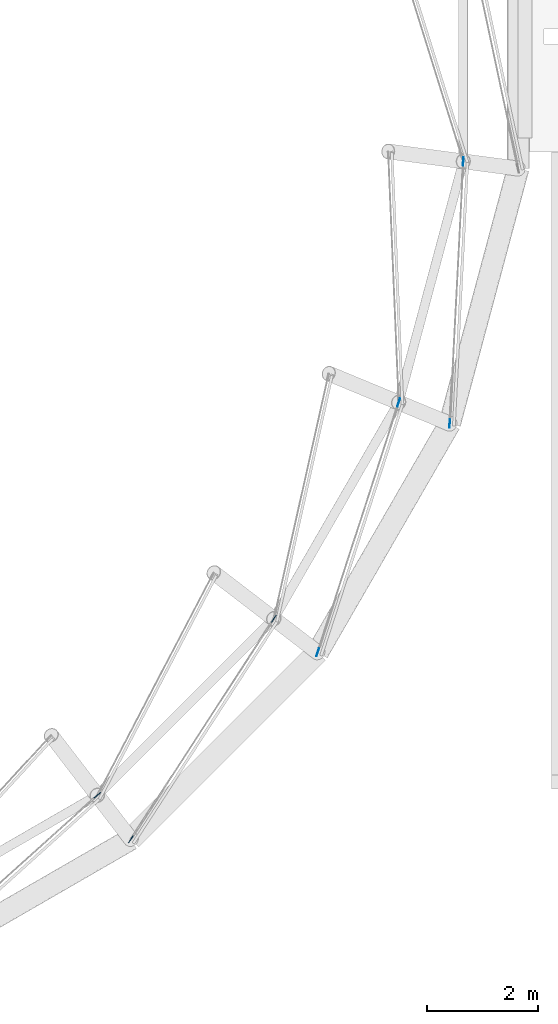
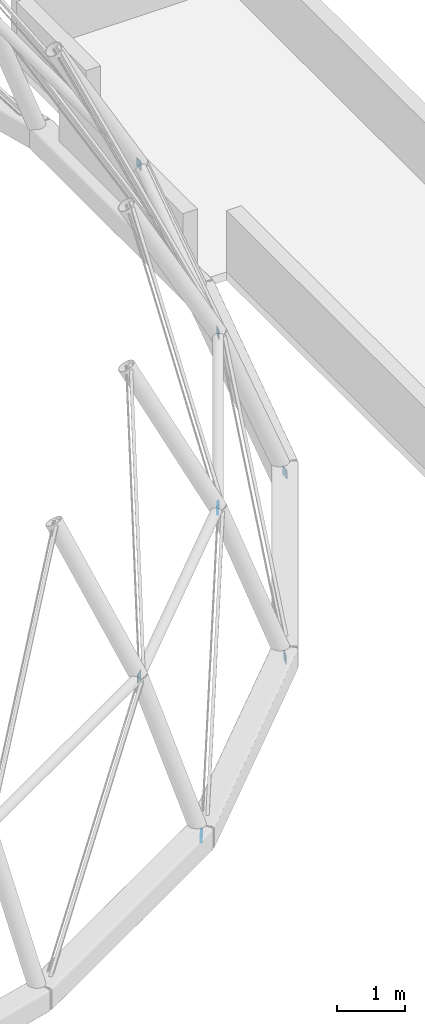
# One storey, part 40 of 59: 7 discrete accessories.
"""IFC4 building model written with IfcOpenShell, lengths in metres."""

from ifc_helpers import new_model, si_unit, direction, frame, origin, origin_2d, place, context, subcontext, project, spatial, rectangle, extrude, material, type_object, element, save


model = new_model("IFC4")

# Units and contexts
model_context = context("Model", 3, precision=1e-05, world=origin(), true_north=direction((0.0, 1.0)))
body_context = subcontext(model_context, "Body", "Model", "MODEL_VIEW")
ifc_project = project(units=[si_unit("LENGTHUNIT", "METRE"), si_unit("AREAUNIT", "SQUARE_METRE"), si_unit("VOLUMEUNIT", "CUBIC_METRE"), si_unit("PLANEANGLEUNIT", "RADIAN"), si_unit("MASSUNIT", "GRAM", prefix="KILO")], contexts=[model_context])

# Site, building, storey
site_placement = place(None, origin())
site = spatial("IfcSite", under=ifc_project, at=site_placement, CompositionType="ELEMENT")
building_placement = place(site_placement, origin())
building = spatial("IfcBuilding", under=site, at=building_placement, Name="Hortulan Conservatory and Botanical Research Centre", CompositionType="ELEMENT")
storey_placement = place(building_placement, frame((0.0, 0.0, 10.5)))
storey = spatial("IfcBuildingStorey", under=building, at=storey_placement, Name="L02", CompositionType="ELEMENT", Elevation=10.5)

# Discrete accessories
ifc_material = material(Name="Steel Grade 300 plate (AS/NZS 3678, 280 MPa minimum yield)", Category="steel")
discrete_accessory_type = type_object("IfcDiscreteAccessoryType", Name="End Plate 150x10", PredefinedType="BRACKET", material=ifc_material)
for number, where, z_axis, x_axis, name in (
    (1, (64.4482421875, 4.3837890625, 2.51904296875), (0.0, 0.0, 1.0), (0.742607373549, 0.669727025549, 0.0), "Dome rod end plate"),
    (2, (65.05224609375, 3.596435546875, -0.074951171875), (0.0, 0.0, 1.0), (0.543950886399, 0.839117055711, 0.0), "Dome rod end plate"),
    (3, (67.6162109375, 7.5517578125, 2.51904296875), (0.0, 0.0, 1.0), (0.543950886399, 0.839117055711, 0.0), "Dome rod end plate"),
    (4, (68.403564453125, 6.94775390625, -0.074951171875), (0.0, 0.0, 1.0), (0.308236734317, 0.951309684392, 0.0), "Dome rod end plate"),
    (5, (69.8564453125, 11.431884765625, 2.51904296875), (0.0, 0.0, 1.0), (0.308236734317, 0.951309684392, 0.0), "Dome rod end plate"),
    (6, (70.773193359375, 11.05224609375, -0.074951171875), (0.0, 0.0, 1.0), (0.051534188286, 0.998671230905, 0.0), "Dome rod end plate"),
    (7, (71.01611328125, 15.759765625, 2.51904296875), (0.0, 0.0, 1.0), (0.051534188286, 0.998671230905, 0.0), "Dome rod end plate"),
):
    element("IfcDiscreteAccessory", number, at=place(storey_placement, frame(where, z_axis=z_axis, x_axis=x_axis)), inside=storey, type_object=discrete_accessory_type, Name=name, PredefinedType="BRACKET", context=body_context, shape_type="SweptSolid", body=[
        extrude(rectangle(XDim=0.14990234375, YDim=0.010009765625, at=origin_2d()), origin(), (0.0, 0.0, 1.0), 0.14990234375),
    ])

save(model, "model.ifc")
